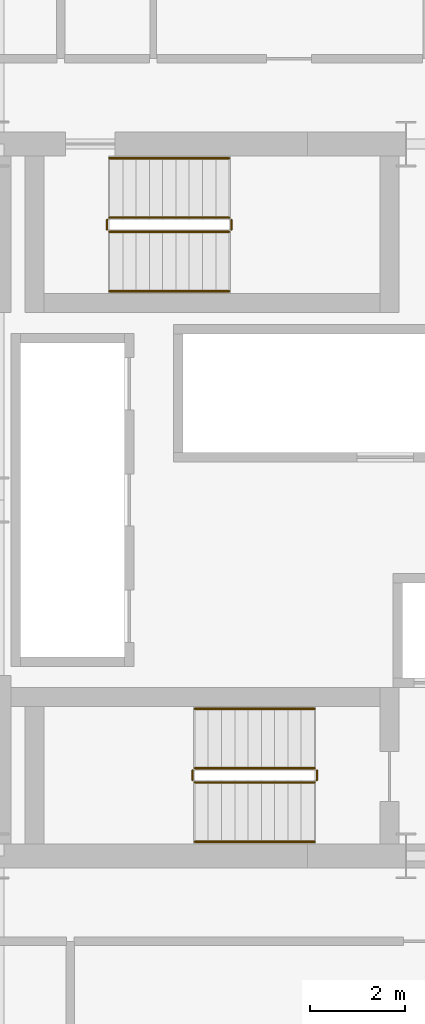
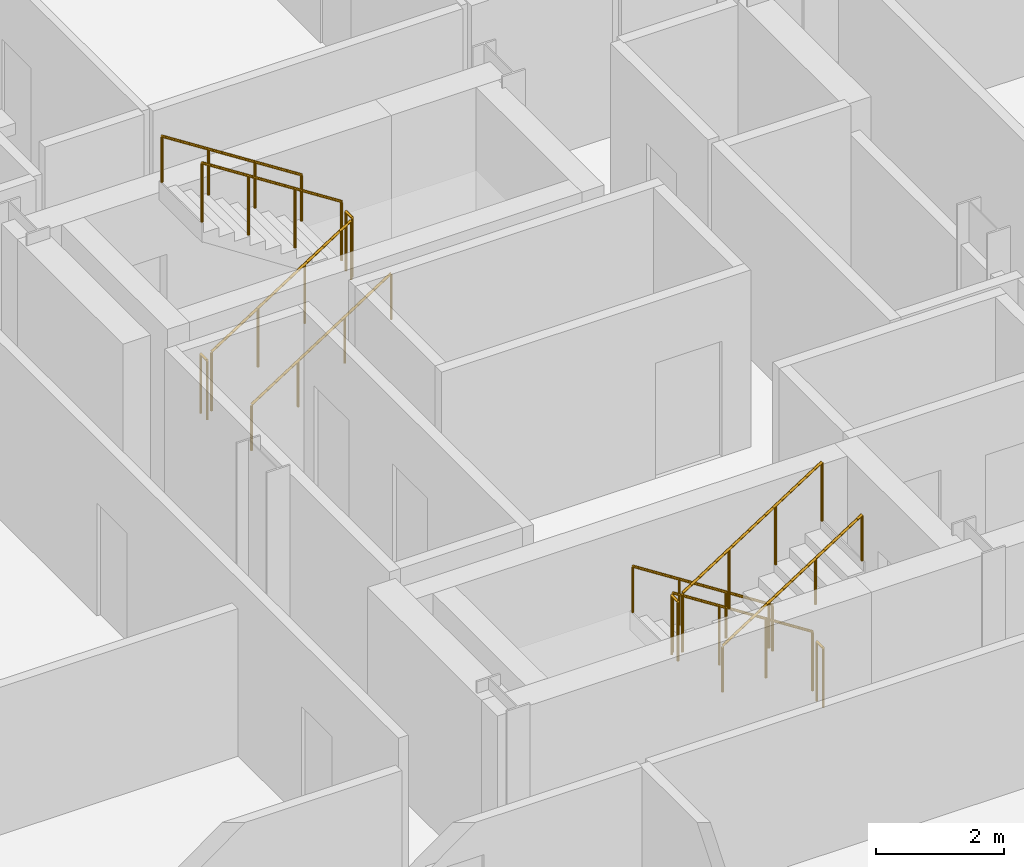
# One storey, part 21 of 22: 12 railings.
"""IFC4 building model written with IfcOpenShell, lengths in metres."""

import ifcopenshell
import ifcopenshell.guid

model = None  # the IFC model being written
_history = None  # IfcOwnerHistory: only IFC2X3 demands one
_inside = {}  # id of a spatial element -> (the spatial element, [elements in it])
_under = {}  # id of a project, library or spatial element -> (it, [spatial elements below it])
_declared = {}  # id of a project -> (the project, [libraries it declares])
_typed = {}  # id of a type object -> (the type object, [elements of that type])
_made_of = {}  # id of a material, layer set ... -> (it, [elements and type objects made of it])


def new_model(schema):
    """Start an empty IFC model of exactly this schema.

    Asked for "IFC4X3", IfcOpenShell would pick the latest addendum, in which some entities
    have other attributes; the version numbers below select the first issue.
    IFC2X3 requires an IfcOwnerHistory on every rooted entity: one is made here for all.
    """
    global model, _history
    if schema == "IFC4X3":
        model = ifcopenshell.file(schema_version=(4, 3, 0, 0))
    else:
        model = ifcopenshell.file(schema=schema)
    _inside.clear()
    _under.clear()
    _declared.clear()
    _typed.clear()
    _made_of.clear()
    _history = None
    if model.schema == "IFC2X3":
        org = make("IfcOrganization", Name="unknown")
        user = make(
            "IfcPersonAndOrganization",
            ThePerson=make("IfcPerson", FamilyName="unknown"),
            TheOrganization=org,
        )
        app = make(
            "IfcApplication",
            ApplicationDeveloper=org,
            Version="unknown",
            ApplicationFullName="unknown",
            ApplicationIdentifier="unknown",
        )
        _history = make(
            "IfcOwnerHistory",
            OwningUser=user,
            OwningApplication=app,
            ChangeAction="ADDED",
            CreationDate=0,
        )
    return model


def make(cls, **values):
    """One entity of the class cls with the attributes given. An attribute that is None is left unset."""
    return model.create_entity(
        cls, **{name: value for name, value in values.items() if value is not None}
    )


def rooted(cls, **values):
    """An entity with a GlobalId (a new one), such as an element, a storey or a relation."""
    return make(cls, GlobalId=ifcopenshell.guid.new(), OwnerHistory=_history, **values)


def si_unit(unit_type, name, prefix=None):
    """IfcSIUnit, for example si_unit("LENGTHUNIT", "METRE", prefix="MILLI")."""
    return make("IfcSIUnit", UnitType=unit_type, Prefix=prefix, Name=name)


def assignment(units):
    """IfcUnitAssignment: the units of a project."""
    return None if units is None else make("IfcUnitAssignment", Units=units)


def point(xyz):
    """IfcCartesianPoint."""
    return None if xyz is None else make("IfcCartesianPoint", Coordinates=xyz)


def direction(xyz):
    """IfcDirection."""
    return None if xyz is None else make("IfcDirection", DirectionRatios=xyz)


def frame(location, z_axis=None, x_axis=None):
    """IfcAxis2Placement3D, a coordinate frame: its origin and axes. An axis left out is left unset."""
    return make(
        "IfcAxis2Placement3D",
        Location=point(location),
        Axis=direction(z_axis),
        RefDirection=direction(x_axis),
    )


def frame_2d(location, x_axis=None):
    """IfcAxis2Placement2D, a coordinate frame in the plane: its origin and x axis."""
    return make(
        "IfcAxis2Placement2D", Location=point(location), RefDirection=direction(x_axis)
    )


def origin():
    """The frame at (0, 0, 0) with its axes left unset."""
    return frame((0.0, 0.0, 0.0))


def origin_2d():
    """The frame at (0, 0) in the plane with its x axis left unset."""
    return frame_2d((0.0, 0.0))


def place(relative_to, where):
    """IfcLocalPlacement: puts the frame where relative to a parent placement (None: the world)."""
    return make(
        "IfcLocalPlacement", PlacementRelTo=relative_to, RelativePlacement=where
    )


def context(
    kind, dimensions, precision=None, world=None, true_north=None, identifier=None
):
    """IfcGeometricRepresentationContext, for example the 3D "Model" context."""
    return make(
        "IfcGeometricRepresentationContext",
        ContextIdentifier=identifier,
        ContextType=kind,
        CoordinateSpaceDimension=dimensions,
        Precision=precision,
        WorldCoordinateSystem=world,
        TrueNorth=true_north,
    )


def subcontext(parent, identifier, kind, view, scale=None):
    """IfcGeometricRepresentationSubContext, for example "Body" below "Model"."""
    return make(
        "IfcGeometricRepresentationSubContext",
        ContextIdentifier=identifier,
        ContextType=kind,
        ParentContext=parent,
        TargetScale=scale,
        TargetView=view,
    )


def project(units=None, contexts=None):
    """IfcProject with its units and contexts."""
    return rooted(
        "IfcProject",
        Name="project",
        RepresentationContexts=contexts,
        UnitsInContext=assignment(units),
    )


def spatial(cls, under=None, at=None, **own):
    """A site, building, storey or space (cls), placed at a placement, below another one or the project."""
    s = rooted(cls, ObjectPlacement=at, **own)
    if under is not None:
        _under.setdefault(under.id(), (under, []))[1].append(s)
    return s


def profile(cls, at=None, kind="AREA", **sizes):
    """A parametric profile (cls). Its sizes go by their IFC names, for example OverallWidth=200.0."""
    return make(cls, ProfileType=kind, Position=at, **sizes)


def circle(**sizes):
    """IfcCircleProfileDef."""
    return profile("IfcCircleProfileDef", **sizes)


def extrude(swept, where, along, depth):
    """IfcExtrudedAreaSolid: the profile swept, set in the frame where, extruded along a direction by depth."""
    return make(
        "IfcExtrudedAreaSolid",
        SweptArea=swept,
        Position=where,
        ExtrudedDirection=direction(along),
        Depth=depth,
    )


def shape(context_of_items, identifier, shape_type, items):
    """IfcShapeRepresentation: the items that make up one representation, for example the "Body"."""
    return make(
        "IfcShapeRepresentation",
        ContextOfItems=context_of_items,
        RepresentationIdentifier=identifier,
        RepresentationType=shape_type,
        Items=items,
    )


def material(Name=None, Category=None):
    """IfcMaterial."""
    return make("IfcMaterial", Name=Name, Category=Category)


def made_of(thing, what):
    """Note that an element or type object is made of a material, layer set ...; save() writes the relation."""
    if what is not None:
        _made_of.setdefault(what.id(), (what, []))[1].append(thing)
    return thing


def type_object(cls, material=None, **own):
    """A type object (cls), such as IfcWallType, which elements share."""
    return made_of(rooted(cls, **own), material)


def element(
    cls,
    number,
    at=None,
    inside=None,
    cuts=None,
    type_object=None,
    material=None,
    context=None,
    identifier="Body",
    shape_type=None,
    held_by="IfcProductDefinitionShape",
    body=None,
    shapes=None,
    **own,
):
    """One element of the class cls, such as IfcWall. Its Tag is "e" and its number.

    at: its placement. inside: the storey or other place that contains it. cuts: it is an
    opening in that element (IfcRelVoidsElement). A single representation is given by context,
    identifier, shape_type and body (its items); several are given by shapes. held_by: the class
    of the entity that holds the representations. save() writes the other relations.
    """
    e = rooted(cls, Tag="e%d" % number, ObjectPlacement=at, **own)
    if body is not None:
        shapes = [shape(context, identifier, shape_type, body)]
    if shapes is not None:
        e.Representation = make(held_by, Representations=shapes)
    if inside is not None:
        _inside.setdefault(inside.id(), (inside, []))[1].append(e)
    if cuts is not None:
        rooted(
            "IfcRelVoidsElement", RelatingBuildingElement=cuts, RelatedOpeningElement=e
        )
    if type_object is not None:
        _typed.setdefault(type_object.id(), (type_object, []))[1].append(e)
    return made_of(e, material)


def aggregate(whole, parts):
    """IfcRelAggregates: a whole, such as a stair, and the parts it consists of."""
    return rooted("IfcRelAggregates", RelatingObject=whole, RelatedObjects=parts)


def save(model, path):
    """Write the relations noted so far, then the file.

    IfcRelAggregates (storeys below a building ...), IfcRelContainedInSpatialStructure (elements
    in a storey), IfcRelDefinesByType, IfcRelAssociatesMaterial and IfcRelDeclares: one each for
    every whole, place, type object, material and project.
    """
    for whole, parts in _under.values():
        aggregate(whole, parts)
    for where, things in _inside.values():
        rooted(
            "IfcRelContainedInSpatialStructure",
            RelatedElements=things,
            RelatingStructure=where,
        )
    for kind, things in _typed.values():
        rooted("IfcRelDefinesByType", RelatedObjects=things, RelatingType=kind)
    for what, things in _made_of.values():
        rooted("IfcRelAssociatesMaterial", RelatedObjects=things, RelatingMaterial=what)
    for by, libraries in _declared.values():
        rooted("IfcRelDeclares", RelatingContext=by, RelatedDefinitions=libraries)
    model.write(path)


model = new_model("IFC4")

# Units and contexts
model_context = context("Model", 3, precision=1e-05, world=origin(), true_north=direction((0.0, 1.0)))
body_context = subcontext(model_context, "Body", "Model", "MODEL_VIEW")
ifc_project = project(units=[si_unit("LENGTHUNIT", "METRE"), si_unit("AREAUNIT", "SQUARE_METRE"), si_unit("VOLUMEUNIT", "CUBIC_METRE"), si_unit("PLANEANGLEUNIT", "RADIAN"), si_unit("MASSUNIT", "GRAM", prefix="KILO")], contexts=[model_context])

# Site, building, storey
site_placement = place(None, origin())
site = spatial("IfcSite", under=ifc_project, at=site_placement, CompositionType="ELEMENT")
building_placement = place(site_placement, origin())
building = spatial("IfcBuilding", under=site, at=building_placement, Name="Barlavira Tower and Art Museum", CompositionType="ELEMENT")
storey_placement = place(building_placement, frame((0.0, 0.0, 106.199951171875)))
storey = spatial("IfcBuildingStorey", under=building, at=storey_placement, Name="L26", CompositionType="ELEMENT", Elevation=106.199951171875)

# Railings
ifc_material = material(Name="Brushed stainless steel", Category="steel")
railing_type_1 = type_object("IfcRailingType", Name="Interior Void and Landing Guard Railing 1150", PredefinedType="GUARDRAIL", material=ifc_material)
railing_1_placement = place(storey_placement, frame((0.14990234375, -5.64990234375, 0.179931640625)))
element("IfcRailing", 1, at=railing_1_placement, inside=storey, type_object=railing_type_1, Name="L26 ST-T1 stair guard 1", PredefinedType="GUARDRAIL", context=body_context, shape_type="SweptSolid", body=[
    extrude(circle(Radius=0.02392578125, at=origin_2d()), frame((0.0, 0.0, 1.1259765625), z_axis=(-0.841162588446, 0.0, 0.540782303519), x_axis=(0.0, -1.0, 0.0)), (0.0, 0.0, 1.0), 2.995849609375),
    extrude(circle(Radius=0.02099609375, at=origin_2d()), origin(), (0.0, 0.0, 1.0), 1.101806640625),
    extrude(circle(Radius=0.02099609375, at=origin_2d()), frame((-0.840087890625, 0.0, 0.5400390625)), (0.0, 0.0, 1.0), 1.101806640625),
    extrude(circle(Radius=0.02099609375, at=origin_2d()), frame((-1.679931640625, 0.0, 1.080078125)), (0.0, 0.0, 1.0), 1.101806640625),
    extrude(circle(Radius=0.02099609375, at=origin_2d()), frame((-2.52001953125, 0.0, 1.6201171875)), (0.0, 0.0, 1.0), 1.101806640625),
])
railing_2_placement = place(storey_placement, frame((-2.419921875, -5.699951171875, 1.800048828125)))
element("IfcRailing", 2, at=railing_2_placement, inside=storey, type_object=railing_type_1, Name="L26 ST-T1 stair guard 2", PredefinedType="GUARDRAIL", context=body_context, shape_type="SweptSolid", body=[
    extrude(circle(Radius=0.02392578125, at=origin_2d()), frame((0.0, 0.0, 1.1259765625), z_axis=(0.0, -1.0, 0.0), x_axis=(1.0, 0.0, 0.0)), (0.0, 0.0, 1.0), 0.199951171875),
    extrude(circle(Radius=0.02099609375, at=origin_2d()), origin(), (0.0, 0.0, 1.0), 1.101806640625),
    extrude(circle(Radius=0.02099609375, at=origin_2d()), frame((0.0, -0.199951171875, 0.0)), (0.0, 0.0, 1.0), 1.101806640625),
])
railing_3_placement = place(storey_placement, frame((-2.3701171875, -5.949951171875, 1.97998046875)))
element("IfcRailing", 3, at=railing_3_placement, inside=storey, type_object=railing_type_1, Name="L26 ST-T1 stair guard 3", PredefinedType="GUARDRAIL", context=body_context, shape_type="SweptSolid", body=[
    extrude(circle(Radius=0.02392578125, at=origin_2d()), frame((0.0, 0.0, 1.1259765625), z_axis=(0.841162588446, 0.0, 0.540782303519), x_axis=(0.0, 1.0, 0.0)), (0.0, 0.0, 1.0), 2.995849609375),
    extrude(circle(Radius=0.02099609375, at=origin_2d()), origin(), (0.0, 0.0, 1.0), 1.101806640625),
    extrude(circle(Radius=0.02099609375, at=origin_2d()), frame((0.840087890625, 0.0, 0.5400390625)), (0.0, 0.0, 1.0), 1.101806640625),
    extrude(circle(Radius=0.02099609375, at=origin_2d()), frame((1.679931640625, 0.0, 1.080078125)), (0.0, 0.0, 1.0), 1.101806640625),
    extrude(circle(Radius=0.02099609375, at=origin_2d()), frame((2.52001953125, 0.0, 1.6201171875)), (0.0, 0.0, 1.0), 1.101806640625),
])
railing_4_placement = place(storey_placement, frame((0.199951171875, -5.699951171875, 0.0)))
element("IfcRailing", 4, at=railing_4_placement, inside=storey, type_object=railing_type_1, Name="L26 ST-T1 stair guard 4", PredefinedType="GUARDRAIL", context=body_context, shape_type="SweptSolid", body=[
    extrude(circle(Radius=0.02392578125, at=origin_2d()), frame((0.0, 0.0, 1.1259765625), z_axis=(0.0, -1.0, 0.0), x_axis=(1.0, 0.0, 0.0)), (0.0, 0.0, 1.0), 0.199951171875),
    extrude(circle(Radius=0.02099609375, at=origin_2d()), origin(), (0.0, 0.0, 1.0), 1.101806640625),
    extrude(circle(Radius=0.02099609375, at=origin_2d()), frame((0.0, -0.199951171875, 0.0)), (0.0, 0.0, 1.0), 1.101806640625),
])
railing_5_placement = place(storey_placement, frame((-4.169921875, 5.64990234375, 0.179931640625)))
element("IfcRailing", 5, at=railing_5_placement, inside=storey, type_object=railing_type_1, Name="L26 ST-T2 stair guard 1", PredefinedType="GUARDRAIL", context=body_context, shape_type="SweptSolid", body=[
    extrude(circle(Radius=0.02392578125, at=origin_2d()), frame((0.0, 0.0, 1.1259765625), z_axis=(0.841162588446, 0.0, 0.540782303519), x_axis=(0.0, 1.0, 0.0)), (0.0, 0.0, 1.0), 2.995849609375),
    extrude(circle(Radius=0.02099609375, at=origin_2d()), origin(), (0.0, 0.0, 1.0), 1.101806640625),
    extrude(circle(Radius=0.02099609375, at=origin_2d()), frame((0.840087890625, 0.0, 0.5400390625)), (0.0, 0.0, 1.0), 1.101806640625),
    extrude(circle(Radius=0.02099609375, at=origin_2d()), frame((1.679931640625, 0.0, 1.080078125)), (0.0, 0.0, 1.0), 1.101806640625),
    extrude(circle(Radius=0.02099609375, at=origin_2d()), frame((2.52001953125, 0.0, 1.6201171875)), (0.0, 0.0, 1.0), 1.101806640625),
])
railing_6_placement = place(storey_placement, frame((-1.60009765625, 5.699951171875, 1.800048828125)))
element("IfcRailing", 6, at=railing_6_placement, inside=storey, type_object=railing_type_1, Name="L26 ST-T2 stair guard 2", PredefinedType="GUARDRAIL", context=body_context, shape_type="SweptSolid", body=[
    extrude(circle(Radius=0.02392578125, at=origin_2d()), frame((0.0, 0.0, 1.1259765625), z_axis=(0.0, 1.0, 0.0), x_axis=(-1.0, 0.0, 0.0)), (0.0, 0.0, 1.0), 0.199951171875),
    extrude(circle(Radius=0.02099609375, at=origin_2d()), origin(), (0.0, 0.0, 1.0), 1.101806640625),
    extrude(circle(Radius=0.02099609375, at=origin_2d()), frame((0.0, 0.199951171875, 0.0)), (0.0, 0.0, 1.0), 1.101806640625),
])
railing_7_placement = place(storey_placement, frame((-1.64990234375, 5.949951171875, 1.97998046875)))
element("IfcRailing", 7, at=railing_7_placement, inside=storey, type_object=railing_type_1, Name="L26 ST-T2 stair guard 3", PredefinedType="GUARDRAIL", context=body_context, shape_type="SweptSolid", body=[
    extrude(circle(Radius=0.02392578125, at=origin_2d()), frame((0.0, 0.0, 1.1259765625), z_axis=(-0.841162588446, 0.0, 0.540782303519), x_axis=(0.0, -1.0, 0.0)), (0.0, 0.0, 1.0), 2.995849609375),
    extrude(circle(Radius=0.02099609375, at=origin_2d()), origin(), (0.0, 0.0, 1.0), 1.101806640625),
    extrude(circle(Radius=0.02099609375, at=origin_2d()), frame((-0.840087890625, 0.0, 0.5400390625)), (0.0, 0.0, 1.0), 1.101806640625),
    extrude(circle(Radius=0.02099609375, at=origin_2d()), frame((-1.679931640625, 0.0, 1.080078125)), (0.0, 0.0, 1.0), 1.101806640625),
    extrude(circle(Radius=0.02099609375, at=origin_2d()), frame((-2.52001953125, 0.0, 1.6201171875)), (0.0, 0.0, 1.0), 1.101806640625),
])
railing_8_placement = place(storey_placement, frame((-4.219970703125, 5.699951171875, 0.0)))
element("IfcRailing", 8, at=railing_8_placement, inside=storey, type_object=railing_type_1, Name="L26 ST-T2 stair guard 4", PredefinedType="GUARDRAIL", context=body_context, shape_type="SweptSolid", body=[
    extrude(circle(Radius=0.02392578125, at=origin_2d()), frame((0.0, 0.0, 1.1259765625), z_axis=(0.0, 1.0, 0.0), x_axis=(-1.0, 0.0, 0.0)), (0.0, 0.0, 1.0), 0.199951171875),
    extrude(circle(Radius=0.02099609375, at=origin_2d()), origin(), (0.0, 0.0, 1.0), 1.101806640625),
    extrude(circle(Radius=0.02099609375, at=origin_2d()), frame((0.0, 0.199951171875, 0.0)), (0.0, 0.0, 1.0), 1.101806640625),
])
railing_type_2 = type_object("IfcRailingType", Name="Stair Pitch Tubular Steel Handrail 920", PredefinedType="HANDRAIL", material=ifc_material)
railing_9_placement = place(storey_placement, frame((0.14990234375, -4.39990234375, 0.179931640625)))
element("IfcRailing", 9, at=railing_9_placement, inside=storey, type_object=railing_type_2, Name="L26 ST-T1 stair handrail 1", PredefinedType="HANDRAIL", context=body_context, shape_type="SweptSolid", body=[
    extrude(circle(Radius=0.02392578125, at=origin_2d()), frame((0.0, 0.0, 0.8759765625), z_axis=(-0.841162588446, 0.0, 0.540782303519), x_axis=(0.0, -1.0, 0.0)), (0.0, 0.0, 1.0), 2.995849609375),
    extrude(circle(Radius=0.02099609375, at=origin_2d()), origin(), (0.0, 0.0, 1.0), 0.851806640625),
    extrude(circle(Radius=0.02099609375, at=origin_2d()), frame((-0.840087890625, 0.0, 0.5400390625)), (0.0, 0.0, 1.0), 0.851806640625),
    extrude(circle(Radius=0.02099609375, at=origin_2d()), frame((-1.679931640625, 0.0, 1.080078125)), (0.0, 0.0, 1.0), 0.851806640625),
    extrude(circle(Radius=0.02099609375, at=origin_2d()), frame((-2.52001953125, 0.0, 1.6201171875)), (0.0, 0.0, 1.0), 0.851806640625),
])
for number, where, name in (
    (10, (-2.3701171875, -7.199951171875, 1.97998046875), "L26 ST-T1 stair handrail 2"),
    (11, (-4.169921875, 4.39990234375, 0.179931640625), "L26 ST-T2 stair handrail 1"),
):
    element("IfcRailing", number, at=place(storey_placement, frame(where)), inside=storey, type_object=railing_type_2, Name=name, PredefinedType="HANDRAIL", context=body_context, shape_type="SweptSolid", body=[
        extrude(circle(Radius=0.02392578125, at=origin_2d()), frame((0.0, 0.0, 0.8759765625), z_axis=(0.841162588446, 0.0, 0.540782303519), x_axis=(0.0, 1.0, 0.0)), (0.0, 0.0, 1.0), 2.995849609375),
        extrude(circle(Radius=0.02099609375, at=origin_2d()), origin(), (0.0, 0.0, 1.0), 0.851806640625),
        extrude(circle(Radius=0.02099609375, at=origin_2d()), frame((0.840087890625, 0.0, 0.5400390625)), (0.0, 0.0, 1.0), 0.851806640625),
        extrude(circle(Radius=0.02099609375, at=origin_2d()), frame((1.679931640625, 0.0, 1.080078125)), (0.0, 0.0, 1.0), 0.851806640625),
        extrude(circle(Radius=0.02099609375, at=origin_2d()), frame((2.52001953125, 0.0, 1.6201171875)), (0.0, 0.0, 1.0), 0.851806640625),
    ])
railing_10_placement = place(storey_placement, frame((-1.64990234375, 7.199951171875, 1.97998046875)))
element("IfcRailing", 12, at=railing_10_placement, inside=storey, type_object=railing_type_2, Name="L26 ST-T2 stair handrail 2", PredefinedType="HANDRAIL", context=body_context, shape_type="SweptSolid", body=[
    extrude(circle(Radius=0.02392578125, at=origin_2d()), frame((0.0, 0.0, 0.8759765625), z_axis=(-0.841162588446, 0.0, 0.540782303519), x_axis=(0.0, -1.0, 0.0)), (0.0, 0.0, 1.0), 2.995849609375),
    extrude(circle(Radius=0.02099609375, at=origin_2d()), origin(), (0.0, 0.0, 1.0), 0.851806640625),
    extrude(circle(Radius=0.02099609375, at=origin_2d()), frame((-0.840087890625, 0.0, 0.5400390625)), (0.0, 0.0, 1.0), 0.851806640625),
    extrude(circle(Radius=0.02099609375, at=origin_2d()), frame((-1.679931640625, 0.0, 1.080078125)), (0.0, 0.0, 1.0), 0.851806640625),
    extrude(circle(Radius=0.02099609375, at=origin_2d()), frame((-2.52001953125, 0.0, 1.6201171875)), (0.0, 0.0, 1.0), 0.851806640625),
])

save(model, "model.ifc")
